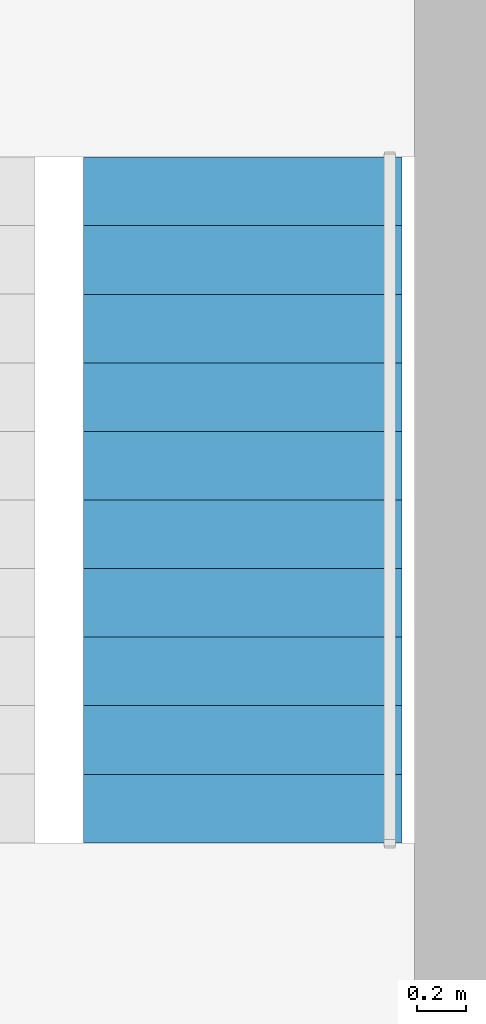
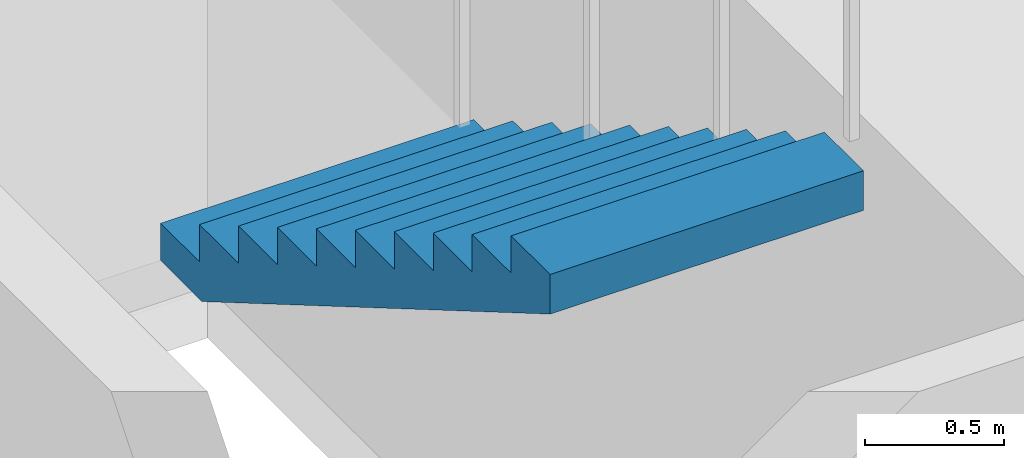
# One storey, part 10 of 11: 1 stair flight, 1 element without a shape of its own.
"""IFC4 building model written with IfcOpenShell, lengths in metres."""

from ifc_helpers import new_model, si_unit, direction, frame, origin, place, context, subcontext, project, spatial, polyline, outline, extrude, material, type_object, element, aggregate, save


model = new_model("IFC4")

# Units and contexts
model_context = context("Model", 3, precision=1e-05, world=origin(), true_north=direction((0.0, 1.0)))
body_context = subcontext(model_context, "Body", "Model", "MODEL_VIEW")
ifc_project = project(units=[si_unit("LENGTHUNIT", "METRE"), si_unit("AREAUNIT", "SQUARE_METRE"), si_unit("VOLUMEUNIT", "CUBIC_METRE"), si_unit("PLANEANGLEUNIT", "RADIAN"), si_unit("MASSUNIT", "GRAM", prefix="KILO")], contexts=[model_context])

# Site, building, storey
site_placement = place(None, origin())
site = spatial("IfcSite", under=ifc_project, at=site_placement, CompositionType="ELEMENT")
building_placement = place(site_placement, origin())
building = spatial("IfcBuilding", under=site, at=building_placement, Name="Nyansa Garden Tower", CompositionType="ELEMENT")
storey_placement = place(building_placement, frame((0.0, 0.0, 160.199951171875)))
storey = spatial("IfcBuildingStorey", under=building, at=storey_placement, Name="L43", CompositionType="ELEMENT", Elevation=160.199951171875)

# Stair, stair flight
ifc_material_1 = material(Name="Precast concrete C40/50", Category="concrete")
stair_type = type_object("IfcStairType", Name="Stair S2 164x280", PredefinedType="HALF_TURN_STAIR", material=ifc_material_1)
stair_placement = place(storey_placement, origin())
stair = element("IfcStair", 1, at=stair_placement, inside=storey, type_object=stair_type, Name="Stair S2 L43", PredefinedType="HALF_TURN_STAIR")
ifc_material_2 = material(Name="Precast concrete C40/50", Category="concrete")
stair_flight_type = type_object("IfcStairFlightType", Name="Stair flight S2 164x280x11", PredefinedType="STRAIGHT", material=ifc_material_2)
stair_flight_placement = place(storey_placement, frame((25.699951171875, 24.39990234375, 1.800048828125), z_axis=(0.0, 0.0, 1.0), x_axis=(0.0, -1.0, 0.0)))
stair_flight = element("IfcStairFlight", 2, at=stair_flight_placement, type_object=stair_flight_type, Name="S2 flight 2", NumberOfRisers=11, NumberOfTreads=10, PredefinedType="STRAIGHT", RiserHeight=0.163636364, TreadLength=0.28, context=body_context, shape_type="SweptSolid", body=[
    extrude(outline(polyline([(0.0, 0.0), (0.0, 0.16357421875), (0.280029296875, 0.16357421875), (0.280029296875, 0.327392578125), (0.56005859375, 0.327392578125), (0.56005859375, 0.490966796875), (0.840087890625, 0.490966796875), (0.840087890625, 0.654541015625), (1.1201171875, 0.654541015625), (1.1201171875, 0.818115234375), (1.39990234375, 0.818115234375), (1.39990234375, 0.98193359375), (1.679931640625, 0.98193359375), (1.679931640625, 1.1455078125), (1.9599609375, 1.1455078125), (1.9599609375, 1.30908203125), (2.239990234375, 1.30908203125), (2.239990234375, 1.47265625), (2.52001953125, 1.47265625), (2.52001953125, 1.636474609375), (2.800048828125, 1.636474609375), (2.800048828125, 1.800048828125), (2.800048828125, 1.462646484375), (0.297119140625, 0.0), (0.0, 0.0)])), frame((0.0, 0.64990234375, 0.0), z_axis=(0.0, -1.0, 0.0), x_axis=(1.0, 0.0, 0.0)), (0.0, 0.0, 1.0), 1.300048828125),
])
aggregate(stair, [stair_flight])

save(model, "model.ifc")
